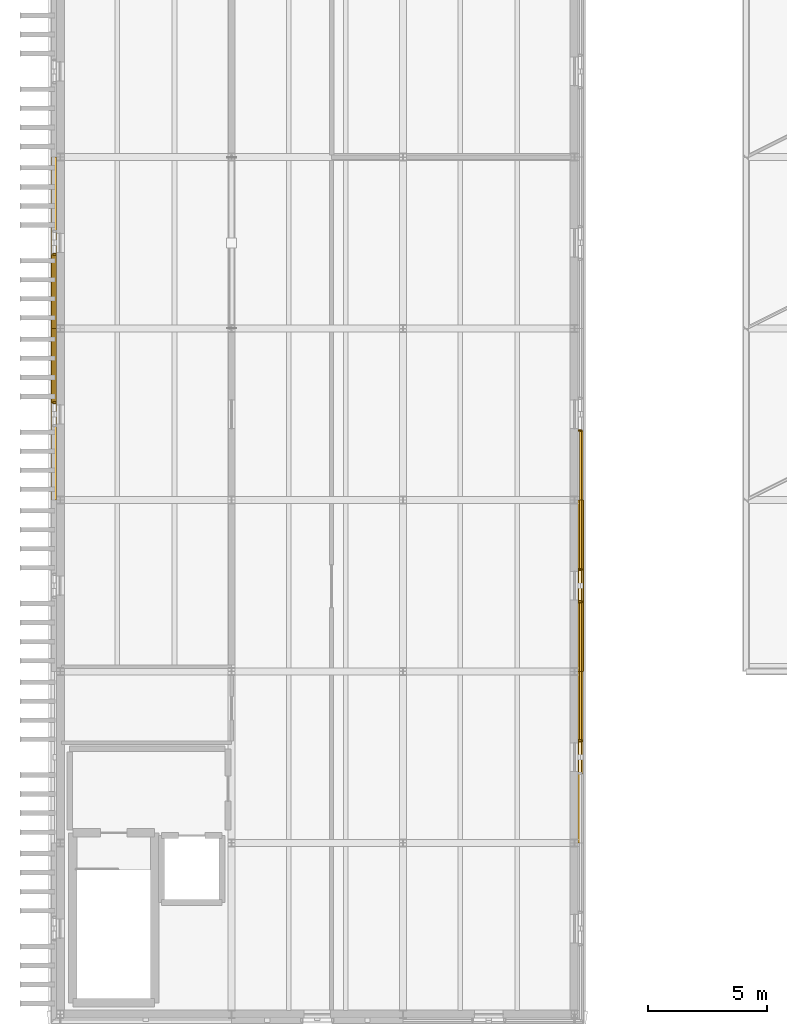
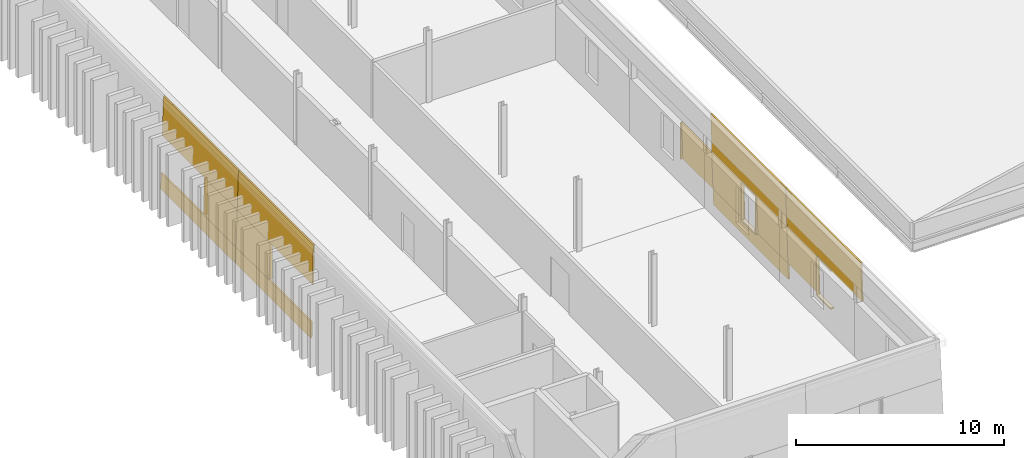
# One storey, part 38 of 44: 23 coverings.
"""IFC4 building model written with IfcOpenShell, lengths in metres."""

from ifc_helpers import new_model, si_unit, direction, frame, origin, place, context, subcontext, project, spatial, polyline, outline, extrude, material, layer, layer_set, type_object, element, save


model = new_model("IFC4")

# Units and contexts
model_context = context("Model", 3, precision=1e-05, world=origin(), true_north=direction((0.0, 1.0)))
body_context = subcontext(model_context, "Body", "Model", "MODEL_VIEW")
ifc_project = project(units=[si_unit("LENGTHUNIT", "METRE"), si_unit("AREAUNIT", "SQUARE_METRE"), si_unit("VOLUMEUNIT", "CUBIC_METRE"), si_unit("PLANEANGLEUNIT", "RADIAN"), si_unit("MASSUNIT", "GRAM", prefix="KILO")], contexts=[model_context])

# Site, building, storey
site_placement = place(None, origin())
site = spatial("IfcSite", under=ifc_project, at=site_placement, CompositionType="ELEMENT")
building_placement = place(site_placement, origin())
building = spatial("IfcBuilding", under=site, at=building_placement, Name="Narikvali Park Central Library", CompositionType="ELEMENT")
storey_placement = place(building_placement, frame((0.0, 0.0, 22.800048828125)))
storey = spatial("IfcBuildingStorey", under=building, at=storey_placement, Name="L05", CompositionType="ELEMENT", Elevation=22.800048828125)

# Coverings
ifc_material = material(Name="White Honed Limestone Cladding", Category="masonry")
ifc_layer_1 = layer(ifc_material, 0.0849609375, Name="White Honed Limestone Cladding")
ifc_layer_set_1 = layer_set([ifc_layer_1], Name="White Honed Limestone Cladding")
covering_type_1 = type_object("IfcCoveringType", Name="Battered White Limestone Facade Cladding Panel", PredefinedType="CLADDING", material=ifc_layer_set_1)
covering_1_placement = place(storey_placement, frame((21.9052734375, 50.39990234375, 3.099853515625), z_axis=(0.999598637315, 0.0, 0.028329565456), x_axis=(0.0, 1.0, 0.0)))
element("IfcCovering", 1, at=covering_1_placement, inside=storey, type_object=covering_type_1, Name="V5 L05 E Battered Limestone Lintel B02", PredefinedType="CLADDING", context=body_context, shape_type="SweptSolid", body=[
    extrude(outline(polyline([(0.0, 0.0), (7.2001953125, 0.0), (7.2001953125, 2.300972352567622), (0.0, 2.300972352567622), (0.0, 0.0)])), origin(), (0.0, 0.0, -1.0), 0.0849609375),
])
covering_2_placement = place(storey_placement, frame((21.96630859375, 54.639892578125, 0.949951171875), z_axis=(0.99959725493, 0.0, 0.028378300447), x_axis=(0.0, 1.0, 0.0)))
element("IfcCovering", 2, at=covering_2_placement, inside=storey, type_object=covering_type_1, Name="V5 L05 E Battered Limestone Jamb Pier R B02", PredefinedType="CLADDING", context=body_context, shape_type="SweptSolid", body=[
    extrude(outline(polyline([(0.0, 0.0), (2.960205078125, 0.0), (2.960205078125, 2.150768555182125), (0.0, 2.150768555182125), (0.0, 0.0)])), origin(), (0.0, 0.0, -1.0), 0.0849609375),
])
covering_3_placement = place(storey_placement, frame((21.9931640625, 57.60009765625, 0.0), z_axis=(0.999600632529, 0.0, 0.02825907725), x_axis=(0.0, 1.0, 0.0)))
element("IfcCovering", 3, at=covering_3_placement, inside=storey, type_object=covering_type_1, Name="V5 L05 E Battered Limestone Spandrel B03", PredefinedType="CLADDING", context=body_context, shape_type="SweptSolid", body=[
    extrude(outline(polyline([(0.0, 0.0), (7.199951171875, 0.0), (7.199951171875, 0.9503307030441919), (0.0, 0.9503307030441919), (0.0, 0.0)])), origin(), (0.0, 0.0, -1.0), 0.0849609375),
])
covering_4_placement = place(storey_placement, frame((21.9052734375, 57.60009765625, 3.099853515625), z_axis=(0.999598637315, 0.0, 0.028329565456), x_axis=(0.0, 1.0, 0.0)))
element("IfcCovering", 4, at=covering_4_placement, inside=storey, type_object=covering_type_1, Name="V5 L05 E Battered Limestone Lintel B03", PredefinedType="CLADDING", context=body_context, shape_type="SweptSolid", body=[
    extrude(outline(polyline([(0.0, 0.0), (7.199951171875, 0.0), (7.199951171875, 2.3009723525676224), (0.0, 2.3009723525676224), (0.0, 0.0)])), origin(), (0.0, 0.0, -1.0), 0.0849609375),
])
for number, where, z_axis, x_axis, name in (
    (5, (21.96630859375, 57.60009765625, 0.949951171875), (0.99959725493, 0.0, 0.028378300447), (0.0, 1.0, 0.0), "V5 L05 E Battered Limestone Jamb Pier L B03"),
    (6, (21.96630859375, 61.840087890625, 0.949951171875), (0.99959725493, 0.0, 0.028378300447), (0.0, 1.0, 0.0), "V5 L05 E Battered Limestone Jamb Pier R B03"),
    (7, (21.96630859375, 64.800048828125, 0.949951171875), (0.99959725493, 0.0, 0.028378300447), (0.0, 1.0, 0.0), "V5 L05 E Battered Limestone Jamb Pier L B04"),
):
    element("IfcCovering", number, at=place(storey_placement, frame(where, z_axis=z_axis, x_axis=x_axis)), inside=storey, type_object=covering_type_1, Name=name, PredefinedType="CLADDING", context=body_context, shape_type="SweptSolid", body=[
        extrude(outline(polyline([(0.0, 0.0), (2.9599609375, 0.0), (2.9599609375, 2.150768555182125), (0.0, 2.150768555182125), (0.0, 0.0)])), origin(), (0.0, 0.0, -1.0), 0.0849609375),
    ])
covering_5_placement = place(storey_placement, frame((-0.393310546875, 79.199951171875, 0.0), z_axis=(-0.999593342746, 0.0, 0.028515769994), x_axis=(0.0, -1.0, 0.0)))
element("IfcCovering", 8, at=covering_5_placement, inside=storey, type_object=covering_type_1, Name="V5 L05 W Battered Limestone Spandrel B05", PredefinedType="CLADDING", context=body_context, shape_type="SweptSolid", body=[
    extrude(outline(polyline([(0.0, 0.0), (7.199951171875, 0.0), (7.199951171875, 0.9503376335676513), (0.0, 0.9503376335676513), (0.0, 0.0)])), origin(), (0.0, 0.0, -1.0), 0.0849609375),
])
covering_6_placement = place(storey_placement, frame((-0.30517578125, 79.199951171875, 3.099853515625), z_axis=(-0.999598637315, 0.0, 0.028329565456), x_axis=(0.0, -1.0, 0.0)))
element("IfcCovering", 9, at=covering_6_placement, inside=storey, type_object=covering_type_1, Name="V5 L05 W Battered Limestone Lintel B05", PredefinedType="CLADDING", context=body_context, shape_type="SweptSolid", body=[
    extrude(outline(polyline([(0.0, 0.0), (7.199951171875, 0.0), (7.199951171875, 2.3009723525676224), (0.0, 2.3009723525676224), (0.0, 0.0)])), origin(), (0.0, 0.0, -1.0), 0.0849609375),
])
covering_7_placement = place(storey_placement, frame((-0.3662109375, 75.159912109375, 0.949951171875), z_axis=(-0.99959725493, 0.0, 0.028378300447), x_axis=(0.0, -1.0, 0.0)))
element("IfcCovering", 10, at=covering_7_placement, inside=storey, type_object=covering_type_1, Name="V5 L05 W Battered Limestone Jamb Pier R B05", PredefinedType="CLADDING", context=body_context, shape_type="SweptSolid", body=[
    extrude(outline(polyline([(0.0, 0.0), (3.159912109375, 0.0), (3.159912109375, 2.150768555182125), (0.0, 2.150768555182125), (0.0, 0.0)])), origin(), (0.0, 0.0, -1.0), 0.0849609375),
])
covering_8_placement = place(storey_placement, frame((-0.393310546875, 72.0, 0.0), z_axis=(-0.999593342746, 0.0, 0.028515769994), x_axis=(0.0, -1.0, 0.0)))
element("IfcCovering", 11, at=covering_8_placement, inside=storey, type_object=covering_type_1, Name="V5 L05 W Battered Limestone Spandrel B06", PredefinedType="CLADDING", context=body_context, shape_type="SweptSolid", body=[
    extrude(outline(polyline([(0.0, 0.0), (7.199951171875, 0.0), (7.199951171875, 0.9503376335676513), (0.0, 0.9503376335676513), (0.0, 0.0)])), origin(), (0.0, 0.0, -1.0), 0.0849609375),
])
covering_9_placement = place(storey_placement, frame((-0.30517578125, 72.0, 3.099853515625), z_axis=(-0.999598637315, 0.0, 0.028329565456), x_axis=(0.0, -1.0, 0.0)))
element("IfcCovering", 12, at=covering_9_placement, inside=storey, type_object=covering_type_1, Name="V5 L05 W Battered Limestone Lintel B06", PredefinedType="CLADDING", context=body_context, shape_type="SweptSolid", body=[
    extrude(outline(polyline([(0.0, 0.0), (7.199951171875, 0.0), (7.199951171875, 2.3009723525676224), (0.0, 2.3009723525676224), (0.0, 0.0)])), origin(), (0.0, 0.0, -1.0), 0.0849609375),
])
covering_10_placement = place(storey_placement, frame((-0.3662109375, 72.0, 0.949951171875), z_axis=(-0.99959725493, 0.0, 0.028378300447), x_axis=(0.0, -1.0, 0.0)))
element("IfcCovering", 13, at=covering_10_placement, inside=storey, type_object=covering_type_1, Name="V5 L05 W Battered Limestone Jamb Pier L B06", PredefinedType="CLADDING", context=body_context, shape_type="SweptSolid", body=[
    extrude(outline(polyline([(0.0, 0.0), (3.159912109375, 0.0), (3.159912109375, 2.150768555182125), (0.0, 2.150768555182125), (0.0, 0.0)])), origin(), (0.0, 0.0, -1.0), 0.0849609375),
])
ifc_layer_2 = layer(ifc_material, 0.080078125, Name="White Honed Limestone Cladding")
ifc_layer_set_2 = layer_set([ifc_layer_2], Name="White Honed Limestone Cladding")
covering_type_2 = type_object("IfcCoveringType", Name="Deep Carved White Limestone Window Reveal", PredefinedType="CLADDING", material=ifc_layer_set_2)
covering_11_placement = place(storey_placement, frame((0.0, 0.0, 3.099853515625)))
element("IfcCovering", 14, at=covering_11_placement, inside=storey, type_object=covering_type_2, Name="Deep Stone Reveal Head V5-RVL-L05-E-B02", PredefinedType="CLADDING", context=body_context, shape_type="SweptSolid", body=[
    extrude(outline(polyline([(21.764892578125, 53.320068359375), (21.764892578125, 54.679931640625), (21.9052734375, 54.679931640625), (21.9052734375, 53.320068359375), (21.764892578125, 53.320068359375)])), origin(), (0.0, 0.0, 1.0), 0.080078125),
])
covering_12_placement = place(storey_placement, frame((0.0, 0.0, 0.869873046875)))
element("IfcCovering", 15, at=covering_12_placement, inside=storey, type_object=covering_type_2, Name="Deep Stone Reveal Sill V5-RVL-L05-E-B02", PredefinedType="CLADDING", context=body_context, shape_type="SweptSolid", body=[
    extrude(outline(polyline([(21.764892578125, 53.320068359375), (21.764892578125, 54.679931640625), (21.96630859375, 54.679931640625), (21.96630859375, 53.320068359375), (21.764892578125, 53.320068359375)])), origin(), (0.0, 0.0, 1.0), 0.080078125),
])
covering_13_placement = place(storey_placement, frame((0.0, 0.0, 0.949951171875)))
element("IfcCovering", 16, at=covering_13_placement, inside=storey, type_object=covering_type_2, Name="Deep Stone Reveal Jamb R V5-RVL-L05-E-B02", PredefinedType="CLADDING", context=body_context, shape_type="SweptSolid", body=[
    extrude(outline(polyline([(21.764892578125, 54.639892578125), (21.764892578125, 54.719970703125), (21.9052734375, 54.719970703125), (21.9052734375, 54.639892578125), (21.764892578125, 54.639892578125)])), origin(), (0.0, 0.0, 1.0), 2.14990234375),
])
covering_14_placement = place(storey_placement, frame((0.0, 0.0, 3.099853515625)))
element("IfcCovering", 17, at=covering_14_placement, inside=storey, type_object=covering_type_2, Name="Deep Stone Reveal Head V5-RVL-L05-E-B03", PredefinedType="CLADDING", context=body_context, shape_type="SweptSolid", body=[
    extrude(outline(polyline([(21.764892578125, 60.52001953125), (21.764892578125, 61.8798828125), (21.9052734375, 61.8798828125), (21.9052734375, 60.52001953125), (21.764892578125, 60.52001953125)])), origin(), (0.0, 0.0, 1.0), 0.080078125),
])
covering_15_placement = place(storey_placement, frame((0.0, 0.0, 0.869873046875)))
element("IfcCovering", 18, at=covering_15_placement, inside=storey, type_object=covering_type_2, Name="Deep Stone Reveal Sill V5-RVL-L05-E-B03", PredefinedType="CLADDING", context=body_context, shape_type="SweptSolid", body=[
    extrude(outline(polyline([(21.764892578125, 60.52001953125), (21.764892578125, 61.8798828125), (21.96630859375, 61.8798828125), (21.96630859375, 60.52001953125), (21.764892578125, 60.52001953125)])), origin(), (0.0, 0.0, 1.0), 0.080078125),
])
covering_16_placement = place(storey_placement, frame((0.0, 0.0, 0.949951171875)))
element("IfcCovering", 19, at=covering_16_placement, inside=storey, type_object=covering_type_2, Name="Deep Stone Reveal Jamb L V5-RVL-L05-E-B03", PredefinedType="CLADDING", context=body_context, shape_type="SweptSolid", body=[
    extrude(outline(polyline([(21.764892578125, 60.47998046875), (21.764892578125, 60.56005859375), (21.9052734375, 60.56005859375), (21.9052734375, 60.47998046875), (21.764892578125, 60.47998046875)])), origin(), (0.0, 0.0, 1.0), 2.14990234375),
])
covering_17_placement = place(storey_placement, frame((0.0, 0.0, 0.949951171875)))
element("IfcCovering", 20, at=covering_17_placement, inside=storey, type_object=covering_type_2, Name="Deep Stone Reveal Jamb R V5-RVL-L05-E-B03", PredefinedType="CLADDING", context=body_context, shape_type="SweptSolid", body=[
    extrude(outline(polyline([(21.764892578125, 61.840087890625), (21.764892578125, 61.919921875), (21.9052734375, 61.919921875), (21.9052734375, 61.840087890625), (21.764892578125, 61.840087890625)])), origin(), (0.0, 0.0, 1.0), 2.14990234375),
])
covering_18_placement = place(storey_placement, frame((0.0, 0.0, 0.949951171875)))
element("IfcCovering", 21, at=covering_18_placement, inside=storey, type_object=covering_type_2, Name="Deep Stone Reveal Jamb L V5-RVL-L05-E-B04", PredefinedType="CLADDING", context=body_context, shape_type="SweptSolid", body=[
    extrude(outline(polyline([(21.764892578125, 67.679931640625), (21.764892578125, 67.760009765625), (21.9052734375, 67.760009765625), (21.9052734375, 67.679931640625), (21.764892578125, 67.679931640625)])), origin(), (0.0, 0.0, 1.0), 2.14990234375),
])
covering_19_placement = place(storey_placement, frame((0.0, 0.0, 0.949951171875)))
element("IfcCovering", 22, at=covering_19_placement, inside=storey, type_object=covering_type_2, Name="Deep Stone Reveal Jamb R V5-RVL-L05-W-B05", PredefinedType="CLADDING", context=body_context, shape_type="SweptSolid", body=[
    extrude(outline(polyline([(-0.1650390625, 75.159912109375), (-0.1650390625, 75.080078125), (-0.30517578125, 75.080078125), (-0.30517578125, 75.159912109375), (-0.1650390625, 75.159912109375)])), origin(), (0.0, 0.0, 1.0), 2.14990234375),
])
covering_20_placement = place(storey_placement, frame((0.0, 0.0, 0.949951171875)))
element("IfcCovering", 23, at=covering_20_placement, inside=storey, type_object=covering_type_2, Name="Deep Stone Reveal Jamb L V5-RVL-L05-W-B06", PredefinedType="CLADDING", context=body_context, shape_type="SweptSolid", body=[
    extrude(outline(polyline([(-0.1650390625, 68.919921875), (-0.1650390625, 68.840087890625), (-0.30517578125, 68.840087890625), (-0.30517578125, 68.919921875), (-0.1650390625, 68.919921875)])), origin(), (0.0, 0.0, 1.0), 2.14990234375),
])

save(model, "model.ifc")
